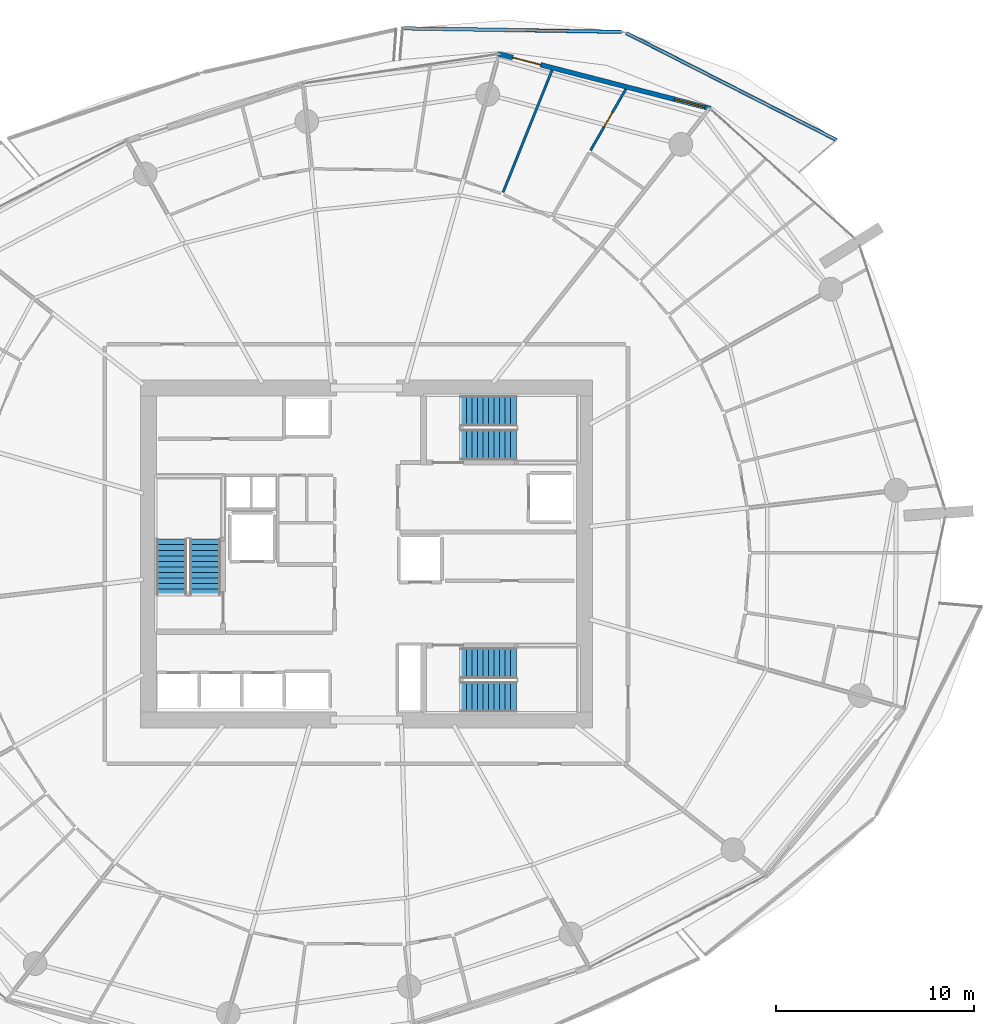
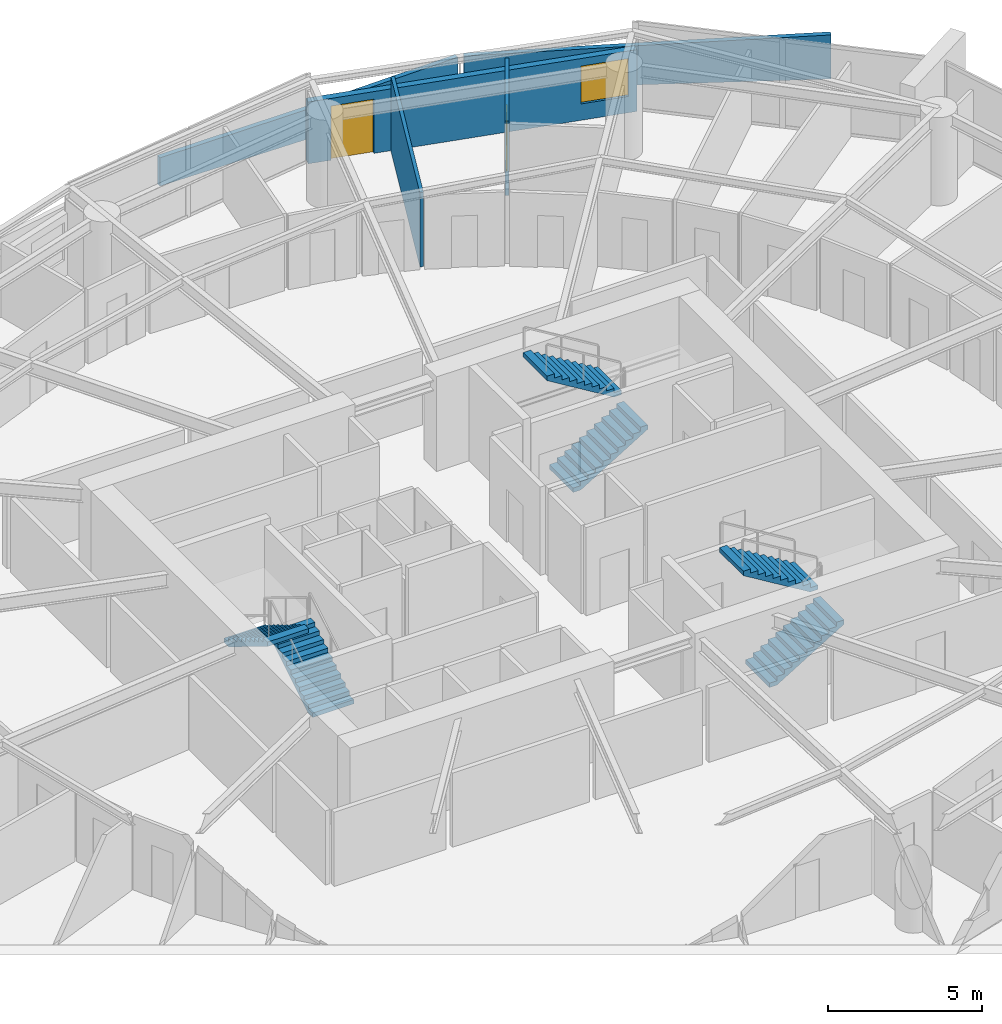
# One storey, part 16 of 23: 6 stair flights, 5 walls, 2 doors, 1 window, 3 openings, 3 elements without a shape of their own.
"""IFC4 building model written with IfcOpenShell, lengths in metres."""

from ifc_helpers import new_model, si_unit, direction, frame, frame_2d, origin, place, context, subcontext, project, spatial, polyline, rectangle, outline, extrude, material, layer, layer_set, type_object, element, fill, aggregate, save


model = new_model("IFC4")

# Units and contexts
model_context = context("Model", 3, precision=1e-05, world=origin(), true_north=direction((0.0, 1.0)))
body_context = subcontext(model_context, "Body", "Model", "MODEL_VIEW")
ifc_project = project(units=[si_unit("LENGTHUNIT", "METRE"), si_unit("AREAUNIT", "SQUARE_METRE"), si_unit("VOLUMEUNIT", "CUBIC_METRE"), si_unit("PLANEANGLEUNIT", "RADIAN"), si_unit("MASSUNIT", "GRAM", prefix="KILO")], contexts=[model_context])

# Site, building, storey
site_placement = place(None, origin())
site = spatial("IfcSite", under=ifc_project, at=site_placement, CompositionType="ELEMENT")
building_placement = place(site_placement, origin())
building = spatial("IfcBuilding", under=site, at=building_placement, Name="Kazma Halo Residences", CompositionType="ELEMENT")
storey_placement = place(building_placement, frame((0.0, 0.0, 108.89990234375)))
storey = spatial("IfcBuildingStorey", under=building, at=storey_placement, Name="L27", CompositionType="ELEMENT", Elevation=108.89990234375)

# Walls
ifc_material_1 = material(Name="White Concrete C50/60 Balustrade", Category="concrete")
ifc_layer_1 = layer(ifc_material_1, 0.179931640625)
ifc_layer_set_1 = layer_set([ifc_layer_1], Name="White Concrete C50/60 Balustrade")
wall_type_1 = type_object("IfcWallType", Name="WL-BAL-WAVE-180", PredefinedType="PARAPET", material=ifc_layer_set_1)
wall_1_placement = place(storey_placement, frame((72.20068359375, 62.92626953125, 0.0), z_axis=(0.0, 0.0, 1.0), x_axis=(-0.891327308183, 0.453360375074, 0.0)))
element("IfcWall", 1, at=wall_1_placement, inside=storey, type_object=wall_type_1, Name="L27 white wave balustrade wall NE.1", PredefinedType="PARAPET", context=body_context, shape_type="SweptSolid", body=[
    extrude(outline(polyline([(0.0, 0.0), (11.942626953125, 0.0), (11.9423828125, 1.34814453125), (5.97119140625, 1.56201171875), (0.0, 1.7470703125), (0.0, 0.0)])), frame((0.0, 0.08984375, 0.0), z_axis=(0.0, -1.0, 0.0), x_axis=(1.0, 0.0, 0.0)), (0.0, 0.0, 1.0), 0.179931640625),
])
wall_2_placement = place(storey_placement, frame((61.328857421875, 68.39697265625, 0.0), z_axis=(0.0, 0.0, 1.0), x_axis=(-0.999868376908, 0.016224329234, 0.0)))
element("IfcWall", 2, at=wall_2_placement, inside=storey, type_object=wall_type_1, Name="L27 white wave balustrade wall NE.2", PredefinedType="PARAPET", context=body_context, shape_type="SweptSolid", body=[
    extrude(outline(polyline([(0.0, 0.0), (11.0751953125, 0.0), (11.0751953125, 1.1201171875), (5.53759765625, 1.18212890625), (0.0, 1.34814453125), (0.0, 0.0)])), frame((0.0, 0.08984375, 0.0), z_axis=(0.0, -1.0, 0.0), x_axis=(1.0, 0.0, 0.0)), (0.0, 0.0, 1.0), 0.179931640625),
])

# Wall, openings, door, window
ifc_material_2 = material(Name="Insulated Pale-Metal Composite Wall")
ifc_layer_2 = layer(ifc_material_2, 0.239990234375)
ifc_layer_set_2 = layer_set([ifc_layer_2], Name="Insulated Pale-Metal Composite Wall")
wall_type_2 = type_object("IfcWallType", Name="WL-EXT-HOST-240", PredefinedType="SOLIDWALL", material=ifc_layer_set_2)
wall_3_placement = place(storey_placement, frame((65.81396484375, 64.52294921875, 0.0), z_axis=(0.0, 0.0, 1.0), x_axis=(-0.968356180858, 0.249572248045, 0.0)))
wall_3 = element("IfcWall", 3, at=wall_3_placement, inside=storey, type_object=wall_type_2, Name="L27 exterior terrace-access wall B02", PredefinedType="SOLIDWALL", context=body_context, shape_type="SweptSolid", body=[
    extrude(rectangle(XDim=11.08447265625, YDim=0.239990234375, at=frame_2d((5.542236328125, 0.0))), origin(), (0.0, 0.0, 1.0), 2.4501953125),
])
opening_1_placement = place(wall_3_placement, frame((8.864501953125, 0.0, 0.0)))
opening_1 = element("IfcOpeningElement", 4, at=opening_1_placement, cuts=wall_3, Name="Opening DTR-1600", PredefinedType="OPENING", context=body_context, shape_type="SweptSolid", body=[
    extrude(rectangle(XDim=1.449951171875, YDim=2.14990234375, at=frame_2d((0.72509765625, 1.074951171875))), frame((0.0, 0.1298828125, 0.0), z_axis=(0.0, -1.0, 0.0), x_axis=(1.0, 0.0, 0.0)), (0.0, 0.0, 1.0), 0.260009765625),
])
opening_2_placement = place(wall_3_placement, frame((0.280029296875, 0.0, 0.64990234375)))
opening_2 = element("IfcOpeningElement", 5, at=opening_2_placement, cuts=wall_3, Name="Opening W-1800", PredefinedType="OPENING", context=body_context, shape_type="SweptSolid", body=[
    extrude(rectangle(XDim=1.60009765625, YDim=1.5, at=frame_2d((0.800048828125, 0.75))), frame((0.0, 0.1298828125, 0.0), z_axis=(0.0, -1.0, 0.0), x_axis=(1.0, 0.0, 0.0)), (0.0, 0.0, 1.0), 0.260009765625),
])
ifc_material_3 = material(Name="Aluminium AW-6063 T6 Double-Glazed Terrace Door", Category="aluminium")
door_type_1 = type_object("IfcDoorType", Name="DR-EXT-TERR-1600", OperationType="NOTDEFINED", PredefinedType="DOOR", material=ifc_material_3)
door_1_placement = place(opening_1_placement, origin())
door_1 = element("IfcDoor", 6, at=door_1_placement, inside=storey, type_object=door_type_1, Name="L27 B02 balcony terrace door", OperationType="DOUBLE_DOOR_SLIDING", OverallHeight=2.14990234375, OverallWidth=1.449951171875, PredefinedType="DOOR", context=body_context, shape_type="SweptSolid", body=[
    extrude(rectangle(XDim=1.449951171875, YDim=2.14990234375, at=frame_2d((0.72509765625, 1.074951171875))), frame((0.0, 0.02490234375, 0.0), z_axis=(0.0, -1.0, 0.0), x_axis=(1.0, 0.0, 0.0)), (0.0, 0.0, 1.0), 0.050048828125),
])
fill(opening_1, door_1)
ifc_material_4 = material(Name="Clear Triple-Silver Low-E Glass in Aluminium AW-6063 T6 Frame", Category="aluminium")
window_type = type_object("IfcWindowType", Name="WIN-RES-1800", PartitioningType="DOUBLE_PANEL_VERTICAL", PredefinedType="WINDOW", material=ifc_material_4)
window_placement = place(opening_2_placement, origin())
window = element("IfcWindow", 7, at=window_placement, inside=storey, type_object=window_type, Name="L27 B02 apartment window", OverallHeight=1.5, OverallWidth=1.60009765625, PartitioningType="SINGLE_PANEL", PredefinedType="WINDOW", context=body_context, shape_type="SweptSolid", body=[
    extrude(rectangle(XDim=1.60009765625, YDim=1.5, at=frame_2d((0.800048828125, 0.75))), frame((0.0, 0.030029296875, 0.0), z_axis=(0.0, -1.0, 0.0), x_axis=(1.0, 0.0, 0.0)), (0.0, 0.0, 1.0), 0.06005859375),
])
fill(opening_2, window)

# Wall, opening, door
ifc_material_5 = material(Name="Gypsum Plasterboard Partition")
ifc_layer_3 = layer(ifc_material_5, 0.125)
ifc_layer_set_3 = layer_set([ifc_layer_3], Name="Gypsum Plasterboard Partition")
wall_type_3 = type_object("IfcWallType", Name="WL-PART-125", PredefinedType="PARTITIONING", material=ifc_layer_set_3)
wall_4_placement = place(storey_placement, frame((59.755859375, 62.40478515625, 0.0), z_axis=(0.0, 0.0, 1.0), x_axis=(0.499189934721, 0.866492590316, 0.0)))
wall_4 = element("IfcWall", 8, at=wall_4_placement, inside=storey, type_object=wall_type_3, Name="L27 Apartment 1 Utility Laundry Room partition wall", PredefinedType="PARTITIONING", context=body_context, shape_type="SweptSolid", body=[
    extrude(rectangle(XDim=3.57275390625, YDim=0.125, at=frame_2d((1.786376953125, 0.0))), origin(), (0.0, 0.0, 1.0), 2.940185546875),
])
opening_3_placement = place(wall_4_placement, frame((1.361328125, 0.0, 0.0)))
opening_3 = element("IfcOpeningElement", 9, at=opening_3_placement, cuts=wall_4, Name="Opening DB-900", PredefinedType="OPENING", context=body_context, shape_type="SweptSolid", body=[
    extrude(rectangle(XDim=0.85009765625, YDim=2.06005859375, at=frame_2d((0.425048828125, 1.030029296875))), frame((0.0, 0.072509765625, 0.0), z_axis=(0.0, -1.0, 0.0), x_axis=(1.0, 0.0, 0.0)), (0.0, 0.0, 1.0), 0.14501953125),
])
ifc_material_6 = material(Name="Moisture-Sealed Timber Leaf", Category="wood")
door_type_2 = type_object("IfcDoorType", Name="DR-BTH-900", OperationType="NOTDEFINED", PredefinedType="DOOR", material=ifc_material_6)
door_2_placement = place(opening_3_placement, origin())
door_2 = element("IfcDoor", 10, at=door_2_placement, inside=storey, type_object=door_type_2, Name="L27 Apartment 1 Utility Laundry Room door", OperationType="SINGLE_SWING_RIGHT", OverallHeight=2.06005859375, OverallWidth=0.85009765625, PredefinedType="DOOR", context=body_context, shape_type="SweptSolid", body=[
    extrude(rectangle(XDim=0.85009765625, YDim=2.06005859375, at=frame_2d((0.425048828125, 1.030029296875))), frame((0.0, 0.02490234375, 0.0), z_axis=(0.0, -1.0, 0.0), x_axis=(1.0, 0.0, 0.0)), (0.0, 0.0, 1.0), 0.050048828125),
])
fill(opening_3, door_2)

# Wall
wall_5_placement = place(storey_placement, frame((55.3330078125, 60.283203125, 0.0), z_axis=(0.0, 0.0, 1.0), x_axis=(0.372282601369, 0.928119423737, 0.0)))
element("IfcWall", 11, at=wall_5_placement, inside=storey, type_object=wall_type_3, Name="L27 Apartment 1 suite divider 1", PredefinedType="PARTITIONING", context=body_context, shape_type="SweptSolid", body=[
    extrude(rectangle(XDim=6.653076171875, YDim=0.125, at=frame_2d((3.32666015625, 0.0))), origin(), (0.0, 0.0, 1.0), 2.940185546875),
])

# Stair, stair flights
ifc_material_7 = material(Name="Concrete C50/60", Category="concrete")
stair_type = type_object("IfcStairType", Name="STR-RES1", PredefinedType="HALF_TURN_STAIR", material=ifc_material_7)
stair_1_placement = place(storey_placement, origin())
stair_1 = element("IfcStair", 12, at=stair_1_placement, inside=storey, type_object=stair_type, Name="L27 Core exit stair ST-01", PredefinedType="HALF_TURN_STAIR")
stair_flight_type = type_object("IfcStairFlightType", Name="STR-RES1-FLT", PredefinedType="STRAIGHT", material=ifc_material_7)
stair_flight_1_placement = place(storey_placement, frame((40.27490234375, 39.949951171875, 0.0), z_axis=(0.0, 0.0, 1.0), x_axis=(0.0, 1.0, 0.0)))
stair_flight_1 = element("IfcStairFlight", 13, at=stair_flight_1_placement, type_object=stair_flight_type, Name="ST-01 flight 1", NumberOfRisers=11, NumberOfTreads=10, PredefinedType="STRAIGHT", RiserHeight=0.170454545, TreadLength=0.28, context=body_context, shape_type="SweptSolid", body=[
    extrude(outline(polyline([(0.0, 0.0), (0.0, 0.17041015625), (0.280029296875, 0.17041015625), (0.280029296875, 0.3408203125), (0.56005859375, 0.3408203125), (0.56005859375, 0.511474609375), (0.840087890625, 0.511474609375), (0.840087890625, 0.681884765625), (1.1201171875, 0.681884765625), (1.1201171875, 0.852294921875), (1.39990234375, 0.852294921875), (1.39990234375, 1.022705078125), (1.679931640625, 1.022705078125), (1.679931640625, 1.193115234375), (1.9599609375, 1.193115234375), (1.9599609375, 1.363525390625), (2.239990234375, 1.363525390625), (2.239990234375, 1.5341796875), (2.52001953125, 1.5341796875), (2.52001953125, 1.70458984375), (2.800048828125, 1.70458984375), (2.800048828125, 1.875), (2.800048828125, 1.529052734375), (0.288330078125, 0.0), (0.0, 0.0)])), frame((0.0, 0.77490234375, 0.0), z_axis=(0.0, -1.0, 0.0), x_axis=(1.0, 0.0, 0.0)), (0.0, 0.0, 1.0), 1.550048828125),
])
stair_flight_2_placement = place(storey_placement, frame((38.574951171875, 42.75, 1.875), z_axis=(0.0, 0.0, 1.0), x_axis=(0.0, -1.0, 0.0)))
stair_flight_2 = element("IfcStairFlight", 14, at=stair_flight_2_placement, type_object=stair_flight_type, Name="ST-01 flight 2", NumberOfRisers=11, NumberOfTreads=10, PredefinedType="STRAIGHT", RiserHeight=0.170454545, TreadLength=0.28, context=body_context, shape_type="SweptSolid", body=[
    extrude(outline(polyline([(0.0, 0.0), (0.0, 0.17041015625), (0.280029296875, 0.17041015625), (0.280029296875, 0.3408203125), (0.56005859375, 0.3408203125), (0.56005859375, 0.511474609375), (0.840087890625, 0.511474609375), (0.840087890625, 0.681884765625), (1.1201171875, 0.681884765625), (1.1201171875, 0.852294921875), (1.39990234375, 0.852294921875), (1.39990234375, 1.022705078125), (1.679931640625, 1.022705078125), (1.679931640625, 1.193115234375), (1.9599609375, 1.193115234375), (1.9599609375, 1.363525390625), (2.239990234375, 1.363525390625), (2.239990234375, 1.5341796875), (2.52001953125, 1.5341796875), (2.52001953125, 1.70458984375), (2.800048828125, 1.70458984375), (2.800048828125, 1.875), (2.800048828125, 1.529052734375), (0.288330078125, 0.0), (0.0, 0.0)])), frame((0.0, 0.77490234375, 0.0), z_axis=(0.0, -1.0, 0.0), x_axis=(1.0, 0.0, 0.0)), (0.0, 0.0, 1.0), 1.550048828125),
])
aggregate(stair_1, [stair_flight_1, stair_flight_2])

stair_2_placement = place(storey_placement, origin())
stair_2 = element("IfcStair", 15, at=stair_2_placement, inside=storey, type_object=stair_type, Name="L27 Core exit stair ST-02", PredefinedType="HALF_TURN_STAIR")
stair_flight_3_placement = place(storey_placement, frame((53.199951171875, 47.52490234375, 0.0), z_axis=(0.0, 0.0, 1.0), x_axis=(1.0, 0.0, 0.0)))
stair_flight_3 = element("IfcStairFlight", 16, at=stair_flight_3_placement, type_object=stair_flight_type, Name="ST-02 flight 1", NumberOfRisers=11, NumberOfTreads=10, PredefinedType="STRAIGHT", RiserHeight=0.170454545, TreadLength=0.28, context=body_context, shape_type="SweptSolid", body=[
    extrude(outline(polyline([(0.0, 0.0), (0.0, 0.17041015625), (0.280029296875, 0.17041015625), (0.280029296875, 0.3408203125), (0.56005859375, 0.3408203125), (0.56005859375, 0.511474609375), (0.840087890625, 0.511474609375), (0.840087890625, 0.681884765625), (1.1201171875, 0.681884765625), (1.1201171875, 0.852294921875), (1.39990234375, 0.852294921875), (1.39990234375, 1.022705078125), (1.679931640625, 1.022705078125), (1.679931640625, 1.193115234375), (1.9599609375, 1.193115234375), (1.9599609375, 1.363525390625), (2.239990234375, 1.363525390625), (2.239990234375, 1.5341796875), (2.52001953125, 1.5341796875), (2.52001953125, 1.70458984375), (2.800048828125, 1.70458984375), (2.800048828125, 1.875), (2.800048828125, 1.529052734375), (0.288330078125, 0.0), (0.0, 0.0)])), frame((0.0, 0.77490234375, 0.0), z_axis=(0.0, -1.0, 0.0), x_axis=(1.0, 0.0, 0.0)), (0.0, 0.0, 1.0), 1.550048828125),
])
stair_flight_4_placement = place(storey_placement, frame((56.0, 49.22509765625, 1.875), z_axis=(0.0, 0.0, 1.0), x_axis=(-1.0, 0.0, 0.0)))
stair_flight_4 = element("IfcStairFlight", 17, at=stair_flight_4_placement, type_object=stair_flight_type, Name="ST-02 flight 2", NumberOfRisers=11, NumberOfTreads=10, PredefinedType="STRAIGHT", RiserHeight=0.170454545, TreadLength=0.28, context=body_context, shape_type="SweptSolid", body=[
    extrude(outline(polyline([(0.0, 0.0), (0.0, 0.17041015625), (0.280029296875, 0.17041015625), (0.280029296875, 0.3408203125), (0.56005859375, 0.3408203125), (0.56005859375, 0.511474609375), (0.840087890625, 0.511474609375), (0.840087890625, 0.681884765625), (1.1201171875, 0.681884765625), (1.1201171875, 0.852294921875), (1.39990234375, 0.852294921875), (1.39990234375, 1.022705078125), (1.679931640625, 1.022705078125), (1.679931640625, 1.193115234375), (1.9599609375, 1.193115234375), (1.9599609375, 1.363525390625), (2.239990234375, 1.363525390625), (2.239990234375, 1.5341796875), (2.52001953125, 1.5341796875), (2.52001953125, 1.70458984375), (2.800048828125, 1.70458984375), (2.800048828125, 1.875), (2.800048828125, 1.529052734375), (0.288330078125, 0.0), (0.0, 0.0)])), frame((0.0, 0.77490234375, 0.0), z_axis=(0.0, -1.0, 0.0), x_axis=(1.0, 0.0, 0.0)), (0.0, 0.0, 1.0), 1.550048828125),
])
aggregate(stair_2, [stair_flight_3, stair_flight_4])

stair_3_placement = place(storey_placement, origin())
stair_3 = element("IfcStair", 18, at=stair_3_placement, inside=storey, type_object=stair_type, Name="L27 Core exit stair ST-03", PredefinedType="HALF_TURN_STAIR")
stair_flight_5_placement = place(storey_placement, frame((53.199951171875, 34.77490234375, 0.0), z_axis=(0.0, 0.0, 1.0), x_axis=(1.0, 0.0, 0.0)))
stair_flight_5 = element("IfcStairFlight", 19, at=stair_flight_5_placement, type_object=stair_flight_type, Name="ST-03 flight 1", NumberOfRisers=11, NumberOfTreads=10, PredefinedType="STRAIGHT", RiserHeight=0.170454545, TreadLength=0.28, context=body_context, shape_type="SweptSolid", body=[
    extrude(outline(polyline([(0.0, 0.0), (0.0, 0.17041015625), (0.280029296875, 0.17041015625), (0.280029296875, 0.3408203125), (0.56005859375, 0.3408203125), (0.56005859375, 0.511474609375), (0.840087890625, 0.511474609375), (0.840087890625, 0.681884765625), (1.1201171875, 0.681884765625), (1.1201171875, 0.852294921875), (1.39990234375, 0.852294921875), (1.39990234375, 1.022705078125), (1.679931640625, 1.022705078125), (1.679931640625, 1.193115234375), (1.9599609375, 1.193115234375), (1.9599609375, 1.363525390625), (2.239990234375, 1.363525390625), (2.239990234375, 1.5341796875), (2.52001953125, 1.5341796875), (2.52001953125, 1.70458984375), (2.800048828125, 1.70458984375), (2.800048828125, 1.875), (2.800048828125, 1.529052734375), (0.288330078125, 0.0), (0.0, 0.0)])), frame((0.0, 0.77490234375, 0.0), z_axis=(0.0, -1.0, 0.0), x_axis=(1.0, 0.0, 0.0)), (0.0, 0.0, 1.0), 1.550048828125),
])
stair_flight_6_placement = place(storey_placement, frame((56.0, 36.47509765625, 1.875), z_axis=(0.0, 0.0, 1.0), x_axis=(-1.0, 0.0, 0.0)))
stair_flight_6 = element("IfcStairFlight", 20, at=stair_flight_6_placement, type_object=stair_flight_type, Name="ST-03 flight 2", NumberOfRisers=11, NumberOfTreads=10, PredefinedType="STRAIGHT", RiserHeight=0.170454545, TreadLength=0.28, context=body_context, shape_type="SweptSolid", body=[
    extrude(outline(polyline([(0.0, 0.0), (0.0, 0.17041015625), (0.280029296875, 0.17041015625), (0.280029296875, 0.3408203125), (0.56005859375, 0.3408203125), (0.56005859375, 0.511474609375), (0.840087890625, 0.511474609375), (0.840087890625, 0.681884765625), (1.1201171875, 0.681884765625), (1.1201171875, 0.852294921875), (1.39990234375, 0.852294921875), (1.39990234375, 1.022705078125), (1.679931640625, 1.022705078125), (1.679931640625, 1.193115234375), (1.9599609375, 1.193115234375), (1.9599609375, 1.363525390625), (2.239990234375, 1.363525390625), (2.239990234375, 1.5341796875), (2.52001953125, 1.5341796875), (2.52001953125, 1.70458984375), (2.800048828125, 1.70458984375), (2.800048828125, 1.875), (2.800048828125, 1.529052734375), (0.288330078125, 0.0), (0.0, 0.0)])), frame((0.0, 0.77490234375, 0.0), z_axis=(0.0, -1.0, 0.0), x_axis=(1.0, 0.0, 0.0)), (0.0, 0.0, 1.0), 1.550048828125),
])
aggregate(stair_3, [stair_flight_5, stair_flight_6])

save(model, "model.ifc")
